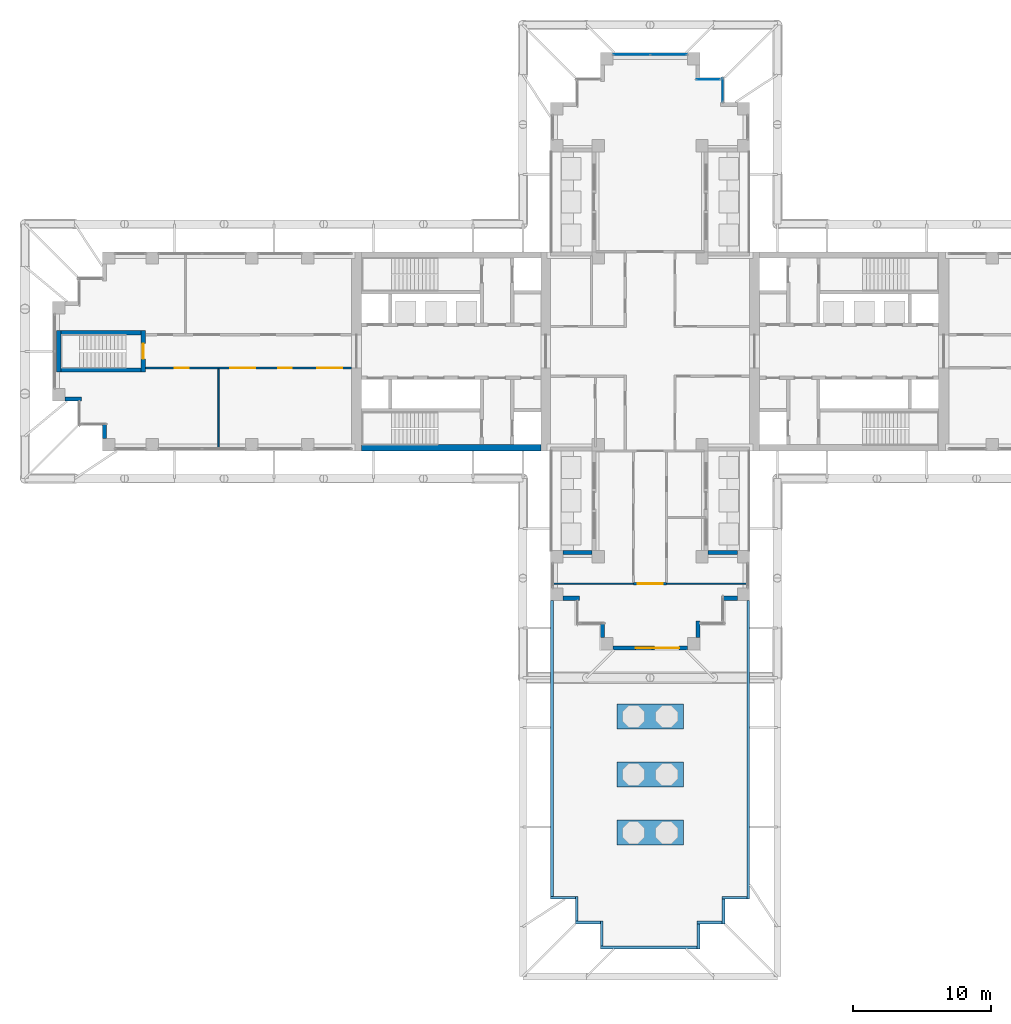
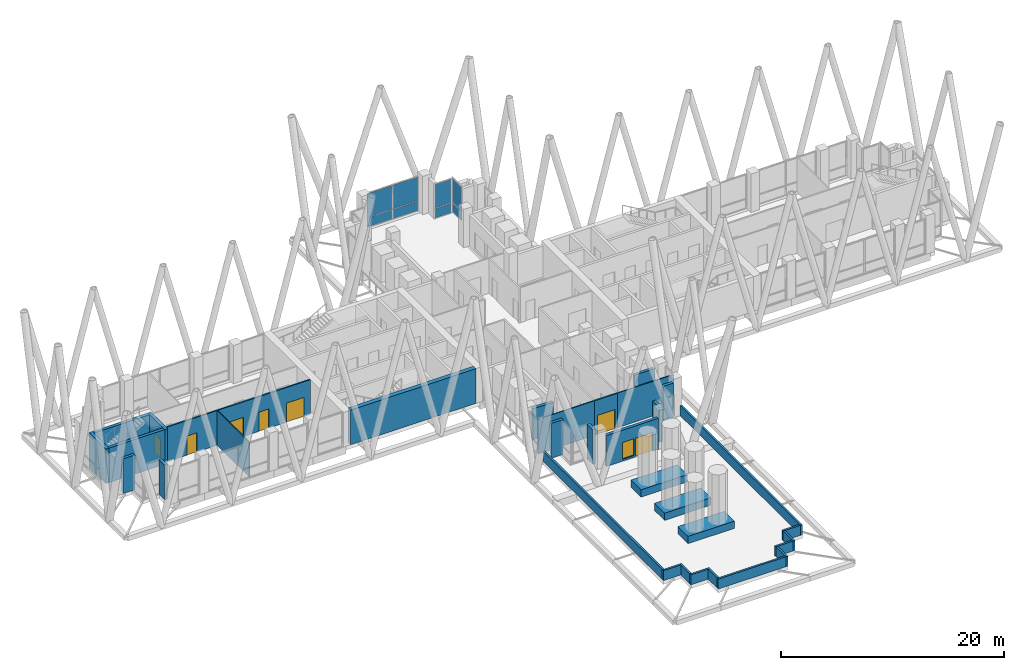
# One storey, part 13 of 22: 33 walls, 8 plates, 7 doors, 1 window, 8 openings, 3 elements without a shape of their own.
"""IFC4 building model written with IfcOpenShell, lengths in metres."""

from ifc_helpers import new_model, si_unit, direction, frame, frame_2d, origin, origin_2d, place, context, subcontext, project, spatial, rectangle, extrude, material, layer, layer_set, type_object, element, fill, aggregate, save


model = new_model("IFC4")

# Units and contexts
model_context = context("Model", 3, precision=1e-05, world=origin(), true_north=direction((0.0, 1.0)))
body_context = subcontext(model_context, "Body", "Model", "MODEL_VIEW")
ifc_project = project(units=[si_unit("LENGTHUNIT", "METRE"), si_unit("AREAUNIT", "SQUARE_METRE"), si_unit("VOLUMEUNIT", "CUBIC_METRE"), si_unit("PLANEANGLEUNIT", "RADIAN"), si_unit("MASSUNIT", "GRAM", prefix="KILO")], contexts=[model_context])

# Site, building, storey
site_placement = place(None, origin())
site = spatial("IfcSite", under=ifc_project, at=site_placement, CompositionType="ELEMENT")
building_placement = place(site_placement, origin())
building = spatial("IfcBuilding", under=site, at=building_placement, Name="Fustian Cross Tower", CompositionType="ELEMENT")
storey_placement = place(building_placement, frame((0.0, 0.0, 116.10009765625)))
storey = spatial("IfcBuildingStorey", under=building, at=storey_placement, Name="L36", CompositionType="ELEMENT", Elevation=116.10009765625)

# Curtain wall, plates
ifc_material_1 = material(Name="Dark anodised aluminium and double glazing", Category="aluminium")
curtain_wall_type = type_object("IfcCurtainWallType", Name="CW1 LOUNGE CURTAIN WALL", PredefinedType="NOTDEFINED", material=ifc_material_1)
curtain_wall_1_placement = place(storey_placement, origin())
curtain_wall_1 = element("IfcCurtainWall", 1, at=curtain_wall_1_placement, inside=storey, type_object=curtain_wall_type, Name="Curtain wall", PredefinedType="NOTDEFINED")
ifc_material_2 = material(Name="Double glazed unit")
ifc_layer_1 = layer(ifc_material_2, 0.028076171875)
ifc_layer_set_1 = layer_set([ifc_layer_1], Name="Double glazed unit")
plate_type = type_object("IfcPlateType", Name="CW1 PANEL IGU 28", PredefinedType="CURTAIN_PANEL", material=ifc_layer_set_1)
plate_1_placement = place(storey_placement, frame((5.25, 18.89990234375, 0.06005859375), z_axis=(0.0, 0.0, 1.0), x_axis=(0.0, 1.0, 0.0)))
plate_1 = element("IfcPlate", 2, at=plate_1_placement, type_object=plate_type, Name="CW1 panel 1.1", PredefinedType="CURTAIN_PANEL", context=body_context, shape_type="SweptSolid", body=[
    extrude(rectangle(XDim=1.679931640625, YDim=0.028076171875, at=origin_2d()), origin(), (0.0, 0.0, 1.0), 1.010009765625),
])
plate_2_placement = place(storey_placement, frame((5.25, 18.89990234375, 1.1298828125), z_axis=(0.0, 0.0, 1.0), x_axis=(0.0, 1.0, 0.0)))
plate_2 = element("IfcPlate", 3, at=plate_2_placement, type_object=plate_type, Name="CW1 panel 1.2", PredefinedType="CURTAIN_PANEL", context=body_context, shape_type="SweptSolid", body=[
    extrude(rectangle(XDim=1.679931640625, YDim=0.028076171875, at=origin_2d()), origin(), (0.0, 0.0, 1.0), 2.610107421875),
])
aggregate(curtain_wall_1, [plate_1, plate_2])

curtain_wall_2_placement = place(storey_placement, origin())
curtain_wall_2 = element("IfcCurtainWall", 4, at=curtain_wall_2_placement, inside=storey, type_object=curtain_wall_type, Name="Curtain wall", PredefinedType="NOTDEFINED")
plate_3_placement = place(storey_placement, frame((4.199951171875, 19.64990234375, 0.06005859375), z_axis=(0.0, 0.0, 1.0), x_axis=(-1.0, 0.0, 0.0)))
plate_3 = element("IfcPlate", 5, at=plate_3_placement, type_object=plate_type, Name="CW1 panel 1.1", PredefinedType="CURTAIN_PANEL", context=body_context, shape_type="SweptSolid", body=[
    extrude(rectangle(XDim=1.679931640625, YDim=0.028076171875, at=origin_2d()), origin(), (0.0, 0.0, 1.0), 1.010009765625),
])
plate_4_placement = place(storey_placement, frame((4.199951171875, 19.64990234375, 1.1298828125), z_axis=(0.0, 0.0, 1.0), x_axis=(-1.0, 0.0, 0.0)))
plate_4 = element("IfcPlate", 6, at=plate_4_placement, type_object=plate_type, Name="CW1 panel 1.2", PredefinedType="CURTAIN_PANEL", context=body_context, shape_type="SweptSolid", body=[
    extrude(rectangle(XDim=1.679931640625, YDim=0.028076171875, at=origin_2d()), origin(), (0.0, 0.0, 1.0), 2.610107421875),
])
aggregate(curtain_wall_2, [plate_3, plate_4])

curtain_wall_3_placement = place(storey_placement, origin())
curtain_wall_3 = element("IfcCurtainWall", 7, at=curtain_wall_3_placement, inside=storey, type_object=curtain_wall_type, Name="Curtain wall", PredefinedType="NOTDEFINED")
plate_5_placement = place(storey_placement, frame((1.3349609375, 21.449951171875, 0.06005859375), z_axis=(0.0, 0.0, 1.0), x_axis=(-1.0, 0.0, 0.0)))
plate_5 = element("IfcPlate", 8, at=plate_5_placement, type_object=plate_type, Name="CW1 panel 1.1", PredefinedType="CURTAIN_PANEL", context=body_context, shape_type="SweptSolid", body=[
    extrude(rectangle(XDim=2.610107421875, YDim=0.028076171875, at=origin_2d()), origin(), (0.0, 0.0, 1.0), 1.010009765625),
])
plate_6_placement = place(storey_placement, frame((1.3349609375, 21.449951171875, 1.1298828125), z_axis=(0.0, 0.0, 1.0), x_axis=(-1.0, 0.0, 0.0)))
plate_6 = element("IfcPlate", 9, at=plate_6_placement, type_object=plate_type, Name="CW1 panel 1.2", PredefinedType="CURTAIN_PANEL", context=body_context, shape_type="SweptSolid", body=[
    extrude(rectangle(XDim=2.610107421875, YDim=0.028076171875, at=origin_2d()), origin(), (0.0, 0.0, 1.0), 2.610107421875),
])
plate_7_placement = place(storey_placement, frame((-1.3349609375, 21.449951171875, 0.06005859375), z_axis=(0.0, 0.0, 1.0), x_axis=(-1.0, 0.0, 0.0)))
plate_7 = element("IfcPlate", 10, at=plate_7_placement, type_object=plate_type, Name="CW1 panel 2.1", PredefinedType="CURTAIN_PANEL", context=body_context, shape_type="SweptSolid", body=[
    extrude(rectangle(XDim=2.610107421875, YDim=0.028076171875, at=origin_2d()), origin(), (0.0, 0.0, 1.0), 1.010009765625),
])
plate_8_placement = place(storey_placement, frame((-1.3349609375, 21.449951171875, 1.1298828125), z_axis=(0.0, 0.0, 1.0), x_axis=(-1.0, 0.0, 0.0)))
plate_8 = element("IfcPlate", 11, at=plate_8_placement, type_object=plate_type, Name="CW1 panel 2.2", PredefinedType="CURTAIN_PANEL", context=body_context, shape_type="SweptSolid", body=[
    extrude(rectangle(XDim=2.610107421875, YDim=0.028076171875, at=origin_2d()), origin(), (0.0, 0.0, 1.0), 2.610107421875),
])
aggregate(curtain_wall_3, [plate_5, plate_6, plate_7, plate_8])

# Wall, openings, doors
ifc_material_3 = material(Name="Plasterboard on steel stud", Category="steel")
ifc_layer_2 = layer(ifc_material_3, 0.14990234375)
ifc_layer_set_2 = layer_set([ifc_layer_2], Name="Plasterboard on steel stud")
wall_type_1 = type_object("IfcWallType", Name="COMPARTMENT WALL 150 EI 60", PredefinedType="PARTITIONING", material=ifc_layer_set_2)
wall_1_placement = place(storey_placement, frame((-36.5, -1.199951171875, 0.0), z_axis=(0.0, 0.0, 1.0), x_axis=(1.0, 0.0, 0.0)))
wall_1 = element("IfcWall", 12, at=wall_1_placement, inside=storey, type_object=wall_type_1, Name="Partition 1", PredefinedType="PARTITIONING", context=body_context, shape_type="SweptSolid", body=[
    extrude(rectangle(XDim=14.89990234375, YDim=0.14990234375, at=frame_2d((7.449951171875, 0.0))), origin(), (0.0, 0.0, 1.0), 3.7998046875),
])
opening_1_placement = place(wall_1_placement, frame((6.14990234375, 0.0, 0.0)))
opening_1 = element("IfcOpeningElement", 13, at=opening_1_placement, cuts=wall_1, Name="Opening D17027", PredefinedType="OPENING", context=body_context, shape_type="SweptSolid", body=[
    extrude(rectangle(XDim=1.800048828125, YDim=2.10009765625, at=frame_2d((0.89990234375, 1.050048828125))), frame((0.0, 0.0849609375, 0.0), z_axis=(0.0, -1.0, 0.0), x_axis=(1.0, 0.0, 0.0)), (0.0, 0.0, 1.0), 0.169921875),
])
opening_2_placement = place(wall_1_placement, frame((9.60009765625, 0.0, 0.0)))
opening_2 = element("IfcOpeningElement", 14, at=opening_2_placement, cuts=wall_1, Name="Opening D17028", PredefinedType="OPENING", context=body_context, shape_type="SweptSolid", body=[
    extrude(rectangle(XDim=1.0, YDim=2.10009765625, at=frame_2d((0.5, 1.050048828125))), frame((0.0, 0.0849609375, 0.0), z_axis=(0.0, -1.0, 0.0), x_axis=(1.0, 0.0, 0.0)), (0.0, 0.0, 1.0), 0.169921875),
])
opening_3_placement = place(wall_1_placement, frame((12.449951171875, 0.0, 0.0)))
opening_3 = element("IfcOpeningElement", 15, at=opening_3_placement, cuts=wall_1, Name="Opening D17029", PredefinedType="OPENING", context=body_context, shape_type="SweptSolid", body=[
    extrude(rectangle(XDim=1.800048828125, YDim=2.10009765625, at=frame_2d((0.89990234375, 1.050048828125))), frame((0.0, 0.0849609375, 0.0), z_axis=(0.0, -1.0, 0.0), x_axis=(1.0, 0.0, 0.0)), (0.0, 0.0, 1.0), 0.169921875),
])
opening_4_placement = place(wall_1_placement, frame((2.14990234375, 0.0, 0.0)))
opening_4 = element("IfcOpeningElement", 16, at=opening_4_placement, cuts=wall_1, Name="Opening D17030", PredefinedType="OPENING", context=body_context, shape_type="SweptSolid", body=[
    extrude(rectangle(XDim=1.0, YDim=2.10009765625, at=frame_2d((0.5, 1.050048828125))), frame((0.0, 0.0849609375, 0.0), z_axis=(0.0, -1.0, 0.0), x_axis=(1.0, 0.0, 0.0)), (0.0, 0.0, 1.0), 0.169921875),
])
ifc_material_4 = material(Name="Timber fire door set", Category="wood")
door_type_1 = type_object("IfcDoorType", Name="FIRE DOUBLE DOOR 1800 FD30S", OperationType="DOUBLE_DOOR_DOUBLE_SWING", PredefinedType="DOOR", material=ifc_material_4)
door_1_placement = place(opening_1_placement, origin())
door_1 = element("IfcDoor", 17, at=door_1_placement, inside=storey, type_object=door_type_1, Name="Door D17027", OperationType="DOUBLE_DOOR_DOUBLE_SWING", OverallHeight=2.10009765625, OverallWidth=1.800048828125, PredefinedType="DOOR", context=body_context, shape_type="SweptSolid", body=[
    extrude(rectangle(XDim=1.800048828125, YDim=2.10009765625, at=frame_2d((0.89990234375, 1.050048828125))), frame((0.0, 0.02490234375, 0.0), z_axis=(0.0, -1.0, 0.0), x_axis=(1.0, 0.0, 0.0)), (0.0, 0.0, 1.0), 0.050048828125),
])
fill(opening_1, door_1)
door_2_placement = place(opening_3_placement, origin())
door_2 = element("IfcDoor", 18, at=door_2_placement, inside=storey, type_object=door_type_1, Name="Door D17029", OperationType="DOUBLE_DOOR_DOUBLE_SWING", OverallHeight=2.10009765625, OverallWidth=1.800048828125, PredefinedType="DOOR", context=body_context, shape_type="SweptSolid", body=[
    extrude(rectangle(XDim=1.800048828125, YDim=2.10009765625, at=frame_2d((0.89990234375, 1.050048828125))), frame((0.0, 0.02490234375, 0.0), z_axis=(0.0, -1.0, 0.0), x_axis=(1.0, 0.0, 0.0)), (0.0, 0.0, 1.0), 0.050048828125),
])
fill(opening_3, door_2)
ifc_material_5 = material(Name="Timber fire door set", Category="wood")
door_type_2 = type_object("IfcDoorType", Name="FIRE SWING DOOR 1000 FD30S", OperationType="SINGLE_SWING_LEFT", PredefinedType="DOOR", material=ifc_material_5)
door_3_placement = place(opening_2_placement, frame((1.0, 0.0, 0.0), z_axis=(0.0, 0.0, 1.0), x_axis=(-1.0, 0.0, 0.0)))
door_3 = element("IfcDoor", 19, at=door_3_placement, inside=storey, type_object=door_type_2, Name="Door D17028", OperationType="SINGLE_SWING_RIGHT", OverallHeight=2.10009765625, OverallWidth=1.0, PredefinedType="DOOR", context=body_context, shape_type="SweptSolid", body=[
    extrude(rectangle(XDim=1.0, YDim=2.10009765625, at=frame_2d((0.5, 1.050048828125))), frame((0.0, 0.02490234375, 0.0), z_axis=(0.0, -1.0, 0.0), x_axis=(1.0, 0.0, 0.0)), (0.0, 0.0, 1.0), 0.050048828125),
])
fill(opening_2, door_3)
door_4_placement = place(opening_4_placement, frame((1.0, 0.0, 0.0), z_axis=(0.0, 0.0, 1.0), x_axis=(-1.0, 0.0, 0.0)))
door_4 = element("IfcDoor", 20, at=door_4_placement, inside=storey, type_object=door_type_2, Name="Door D17030", OperationType="SINGLE_SWING_LEFT", OverallHeight=2.10009765625, OverallWidth=1.0, PredefinedType="DOOR", context=body_context, shape_type="SweptSolid", body=[
    extrude(rectangle(XDim=1.0, YDim=2.10009765625, at=frame_2d((0.5, 1.050048828125))), frame((0.0, 0.02490234375, 0.0), z_axis=(0.0, -1.0, 0.0), x_axis=(1.0, 0.0, 0.0)), (0.0, 0.0, 1.0), 0.050048828125),
])
fill(opening_4, door_4)

# Wall, opening, door
wall_2_placement = place(storey_placement, frame((-1.199951171875, -16.800048828125, 0.0), z_axis=(0.0, 0.0, 1.0), x_axis=(1.0, 0.0, 0.0)))
wall_2 = element("IfcWall", 21, at=wall_2_placement, inside=storey, type_object=wall_type_1, Name="Partition 16", PredefinedType="PARTITIONING", context=body_context, shape_type="SweptSolid", body=[
    extrude(rectangle(XDim=2.39990234375, YDim=0.14990234375, at=frame_2d((1.199951171875, 0.0))), origin(), (0.0, 0.0, 1.0), 3.7998046875),
])
opening_5_placement = place(wall_2_placement, frame((0.300048828125, 0.0, 0.0)))
opening_5 = element("IfcOpeningElement", 22, at=opening_5_placement, cuts=wall_2, Name="Opening D17015", PredefinedType="OPENING", context=body_context, shape_type="SweptSolid", body=[
    extrude(rectangle(XDim=1.800048828125, YDim=2.10009765625, at=frame_2d((0.89990234375, 1.050048828125))), frame((0.0, 0.0849609375, 0.0), z_axis=(0.0, -1.0, 0.0), x_axis=(1.0, 0.0, 0.0)), (0.0, 0.0, 1.0), 0.169921875),
])
door_5_placement = place(opening_5_placement, origin())
door_5 = element("IfcDoor", 23, at=door_5_placement, inside=storey, type_object=door_type_1, Name="Door D17015", OperationType="DOUBLE_DOOR_DOUBLE_SWING", OverallHeight=2.10009765625, OverallWidth=1.800048828125, PredefinedType="DOOR", context=body_context, shape_type="SweptSolid", body=[
    extrude(rectangle(XDim=1.800048828125, YDim=2.10009765625, at=frame_2d((0.89990234375, 1.050048828125))), frame((0.0, 0.02490234375, 0.0), z_axis=(0.0, -1.0, 0.0), x_axis=(1.0, 0.0, 0.0)), (0.0, 0.0, 1.0), 0.050048828125),
])
fill(opening_5, door_5)

# Walls
ifc_material_6 = material(Name="Concrete C60/75", Category="concrete")
ifc_layer_3 = layer(ifc_material_6, 0.449951171875)
ifc_layer_set_3 = layer_set([ifc_layer_3], Name="Concrete C60/75")
wall_type_2 = type_object("IfcWallType", Name="CORE FACADE WALL 450 C60/75", PredefinedType="SHEAR", material=ifc_layer_set_3)
wall_3_placement = place(storey_placement, frame((-7.89990234375, -6.97509765625, 0.0), z_axis=(0.0, 0.0, 1.0), x_axis=(-1.0, 0.0, 0.0)))
element("IfcWall", 24, at=wall_3_placement, inside=storey, type_object=wall_type_2, Name="Core facade wall", PredefinedType="SHEAR", context=body_context, shape_type="SweptSolid", body=[
    extrude(rectangle(XDim=12.9501953125, YDim=0.449951171875, at=frame_2d((6.47509765625, 0.0))), origin(), (0.0, 0.0, 1.0), 3.7998046875),
])
ifc_material_7 = material(Name="Dark rainscreen cladding on blockwork", Category="masonry")
ifc_layer_4 = layer(ifc_material_7, 0.199951171875)
ifc_layer_set_4 = layer_set([ifc_layer_4], Name="Dark rainscreen cladding on blockwork")
wall_type_3 = type_object("IfcWallType", Name="PARAPET 200", PredefinedType="PARAPET", material=ifc_layer_set_4)
wall_4_placement = place(storey_placement, frame((-7.10009765625, -18.0, 0.0), z_axis=(0.0, 0.0, 1.0), x_axis=(0.0, -1.0, 0.0)))
element("IfcWall", 25, at=wall_4_placement, inside=storey, type_object=wall_type_3, Name="Terrace parapet L36 1", PredefinedType="PARAPET", context=body_context, shape_type="SweptSolid", body=[
    extrude(rectangle(XDim=21.39990234375, YDim=0.199951171875, at=frame_2d((10.699951171875, 0.0))), origin(), (0.0, 0.0, 1.0), 1.099853515625),
])
for number, where, z_axis, x_axis, name in (
    (26, (-7.199951171875, -39.5, 0.0), (0.0, 0.0, 1.0), (1.0, 0.0, 0.0), "Terrace parapet L36 2"),
    (27, (-5.300048828125, -39.39990234375, 0.0), (0.0, 0.0, 1.0), (0.0, -1.0, 0.0), "Terrace parapet L36 3"),
):
    element("IfcWall", number, at=place(storey_placement, frame(where, z_axis=z_axis, x_axis=x_axis)), inside=storey, type_object=wall_type_3, Name=name, PredefinedType="PARAPET", context=body_context, shape_type="SweptSolid", body=[
        extrude(rectangle(XDim=1.800048828125, YDim=0.199951171875, at=frame_2d((0.89990234375, 0.0))), origin(), (0.0, 0.0, 1.0), 1.099853515625),
    ])
wall_5_placement = place(storey_placement, frame((-5.39990234375, -41.300048828125, 0.0), z_axis=(0.0, 0.0, 1.0), x_axis=(1.0, 0.0, 0.0)))
element("IfcWall", 28, at=wall_5_placement, inside=storey, type_object=wall_type_3, Name="Terrace parapet L36 4", PredefinedType="PARAPET", context=body_context, shape_type="SweptSolid", body=[
    extrude(rectangle(XDim=1.7998046875, YDim=0.199951171875, at=frame_2d((0.89990234375, 0.0))), origin(), (0.0, 0.0, 1.0), 1.099853515625),
])
wall_6_placement = place(storey_placement, frame((-3.5, -41.199951171875, 0.0), z_axis=(0.0, 0.0, 1.0), x_axis=(0.0, -1.0, 0.0)))
element("IfcWall", 29, at=wall_6_placement, inside=storey, type_object=wall_type_3, Name="Terrace parapet L36 5", PredefinedType="PARAPET", context=body_context, shape_type="SweptSolid", body=[
    extrude(rectangle(XDim=1.800048828125, YDim=0.199951171875, at=frame_2d((0.89990234375, 0.0))), origin(), (0.0, 0.0, 1.0), 1.099853515625),
])
wall_7_placement = place(storey_placement, frame((-3.60009765625, -43.10009765625, 0.0), z_axis=(0.0, 0.0, 1.0), x_axis=(1.0, 0.0, 0.0)))
element("IfcWall", 30, at=wall_7_placement, inside=storey, type_object=wall_type_3, Name="Terrace parapet L36 6", PredefinedType="PARAPET", context=body_context, shape_type="SweptSolid", body=[
    extrude(rectangle(XDim=7.0, YDim=0.199951171875, at=frame_2d((3.5, 0.0))), origin(), (0.0, 0.0, 1.0), 1.099853515625),
])
for number, where, z_axis, x_axis, name in (
    (31, (3.5, -43.199951171875, 0.0), (0.0, 0.0, 1.0), (0.0, 1.0, 0.0), "Terrace parapet L36 7"),
    (32, (3.39990234375, -41.300048828125, 0.0), (0.0, 0.0, 1.0), (1.0, 0.0, 0.0), "Terrace parapet L36 8"),
):
    element("IfcWall", number, at=place(storey_placement, frame(where, z_axis=z_axis, x_axis=x_axis)), inside=storey, type_object=wall_type_3, Name=name, PredefinedType="PARAPET", context=body_context, shape_type="SweptSolid", body=[
        extrude(rectangle(XDim=1.800048828125, YDim=0.199951171875, at=frame_2d((0.89990234375, 0.0))), origin(), (0.0, 0.0, 1.0), 1.099853515625),
    ])
wall_8_placement = place(storey_placement, frame((5.300048828125, -41.39990234375, 0.0), z_axis=(0.0, 0.0, 1.0), x_axis=(0.0, 1.0, 0.0)))
element("IfcWall", 33, at=wall_8_placement, inside=storey, type_object=wall_type_3, Name="Terrace parapet L36 9", PredefinedType="PARAPET", context=body_context, shape_type="SweptSolid", body=[
    extrude(rectangle(XDim=1.7998046875, YDim=0.199951171875, at=frame_2d((0.89990234375, 0.0))), origin(), (0.0, 0.0, 1.0), 1.099853515625),
])
wall_9_placement = place(storey_placement, frame((5.199951171875, -39.5, 0.0), z_axis=(0.0, 0.0, 1.0), x_axis=(1.0, 0.0, 0.0)))
element("IfcWall", 34, at=wall_9_placement, inside=storey, type_object=wall_type_3, Name="Terrace parapet L36 10", PredefinedType="PARAPET", context=body_context, shape_type="SweptSolid", body=[
    extrude(rectangle(XDim=1.800048828125, YDim=0.199951171875, at=frame_2d((0.89990234375, 0.0))), origin(), (0.0, 0.0, 1.0), 1.099853515625),
])
wall_10_placement = place(storey_placement, frame((7.10009765625, -39.60009765625, 0.0), z_axis=(0.0, 0.0, 1.0), x_axis=(0.0, 1.0, 0.0)))
element("IfcWall", 35, at=wall_10_placement, inside=storey, type_object=wall_type_3, Name="Terrace parapet L36 11", PredefinedType="PARAPET", context=body_context, shape_type="SweptSolid", body=[
    extrude(rectangle(XDim=21.60009765625, YDim=0.199951171875, at=frame_2d((10.800048828125, 0.0))), origin(), (0.0, 0.0, 1.0), 1.099853515625),
])
ifc_material_8 = material(Name="Plasterboard on steel stud", Category="steel")
ifc_layer_5 = layer(ifc_material_8, 0.10009765625)
ifc_layer_set_5 = layer_set([ifc_layer_5], Name="Plasterboard on steel stud")
wall_type_4 = type_object("IfcWallType", Name="PARTITION 100 STUD", PredefinedType="PARTITIONING", material=ifc_layer_set_5)
wall_11_placement = place(storey_placement, frame((-31.199951171875, -7.02001953125, 0.0), z_axis=(0.0, 0.0, 1.0), x_axis=(0.0, 1.0, 0.0)))
element("IfcWall", 36, at=wall_11_placement, inside=storey, type_object=wall_type_4, Name="Partition 4", PredefinedType="PARTITIONING", context=body_context, shape_type="SweptSolid", body=[
    extrude(rectangle(XDim=5.7451171875, YDim=0.10009765625, at=frame_2d((2.87255859375, 0.0))), origin(), (0.0, 0.0, 1.0), 3.7998046875),
])
for number, where, z_axis, x_axis, name in (
    (37, (-7.02001953125, -16.800048828125, 0.0), (0.0, 0.0, 1.0), (1.0, 0.0, 0.0), "Partition 7"),
    (38, (1.199951171875, -16.800048828125, 0.0), (0.0, 0.0, 1.0), (1.0, 0.0, 0.0), "Partition 18"),
):
    element("IfcWall", number, at=place(storey_placement, frame(where, z_axis=z_axis, x_axis=x_axis)), inside=storey, type_object=wall_type_4, Name=name, PredefinedType="PARTITIONING", context=body_context, shape_type="SweptSolid", body=[
        extrude(rectangle(XDim=5.820068359375, YDim=0.10009765625, at=frame_2d((2.91015625, 0.0))), origin(), (0.0, 0.0, 1.0), 3.7998046875),
    ])
ifc_material_9 = material(Name="Concrete C40/50", Category="concrete")
ifc_layer_6 = layer(ifc_material_9, 1.800048828125)
ifc_layer_set_6 = layer_set([ifc_layer_6], Name="Concrete C40/50")
wall_type_5 = type_object("IfcWallType", Name="PLANTER KERB 1800", PredefinedType="SOLIDWALL", material=ifc_layer_set_6)
for number, where, z_axis, x_axis, name in (
    (39, (-2.39990234375, -34.800048828125, 0.0), (0.0, 0.0, 1.0), (1.0, 0.0, 0.0), "PLANTER L3611"),
    (40, (-2.39990234375, -30.60009765625, 0.0), (0.0, 0.0, 1.0), (1.0, 0.0, 0.0), "PLANTER L3612"),
    (41, (-2.39990234375, -26.39990234375, 0.0), (0.0, 0.0, 1.0), (1.0, 0.0, 0.0), "PLANTER L3613"),
):
    element("IfcWall", number, at=place(storey_placement, frame(where, z_axis=z_axis, x_axis=x_axis)), inside=storey, type_object=wall_type_5, Name=name, PredefinedType="SOLIDWALL", context=body_context, shape_type="SweptSolid", body=[
        extrude(rectangle(XDim=4.7998046875, YDim=1.800048828125, at=frame_2d((2.39990234375, 0.0))), origin(), (0.0, 0.0, 1.0), 0.7998046875),
    ])

# Wall, opening, door
ifc_material_10 = material(Name="Concrete C50/60", Category="concrete")
ifc_layer_7 = layer(ifc_material_10, 0.300048828125)
ifc_layer_set_7 = layer_set([ifc_layer_7], Name="Concrete C50/60")
wall_type_6 = type_object("IfcWallType", Name="STAIR ENCLOSURE WALL 300 C50/60", PredefinedType="SHEAR", material=ifc_layer_set_7)
wall_12_placement = place(storey_placement, frame((-36.64990234375, -1.5, 0.0), z_axis=(0.0, 0.0, 1.0), x_axis=(0.0, 1.0, 0.0)))
wall_12 = element("IfcWall", 42, at=wall_12_placement, inside=storey, type_object=wall_type_6, Name="Stair enclosure wall", PredefinedType="SHEAR", context=body_context, shape_type="SweptSolid", body=[
    extrude(rectangle(XDim=3.0, YDim=0.300048828125, at=frame_2d((1.5, 0.0))), origin(), (0.0, 0.0, 1.0), 3.7998046875),
])
opening_6_placement = place(wall_12_placement, frame((0.949951171875, 0.0, 0.0)))
opening_6 = element("IfcOpeningElement", 43, at=opening_6_placement, cuts=wall_12, Name="Opening CD-14-38", PredefinedType="OPENING", context=body_context, shape_type="SweptSolid", body=[
    extrude(rectangle(XDim=1.10009765625, YDim=2.10009765625, at=frame_2d((0.550048828125, 1.050048828125))), frame((0.0, 0.159912109375, 0.0), z_axis=(0.0, -1.0, 0.0), x_axis=(1.0, 0.0, 0.0)), (0.0, 0.0, 1.0), 0.320068359375),
])
ifc_material_11 = material(Name="Steel", Category="steel")
door_type_3 = type_object("IfcDoorType", Name="FIRE DOOR FD60S 1100X2100", OperationType="SINGLE_SWING_LEFT", PredefinedType="DOOR", material=ifc_material_11)
door_6_placement = place(opening_6_placement, origin())
door_6 = element("IfcDoor", 44, at=door_6_placement, inside=storey, type_object=door_type_3, Name="Core door CD-14-38", OperationType="SINGLE_SWING_LEFT", OverallHeight=2.10009765625, OverallWidth=1.10009765625, PredefinedType="DOOR", context=body_context, shape_type="SweptSolid", body=[
    extrude(rectangle(XDim=1.10009765625, YDim=2.10009765625, at=frame_2d((0.550048828125, 1.050048828125))), frame((0.0, 0.02490234375, 0.0), z_axis=(0.0, -1.0, 0.0), x_axis=(1.0, 0.0, 0.0)), (0.0, 0.0, 1.0), 0.050048828125),
])
fill(opening_6, door_6)

# Walls
wall_13_placement = place(storey_placement, frame((-42.75, -1.5, 0.0), z_axis=(0.0, 0.0, 1.0), x_axis=(0.0, 1.0, 0.0)))
element("IfcWall", 45, at=wall_13_placement, inside=storey, type_object=wall_type_6, Name="Stair enclosure wall", PredefinedType="SHEAR", context=body_context, shape_type="SweptSolid", body=[
    extrude(rectangle(XDim=3.0, YDim=0.300048828125, at=frame_2d((1.5, 0.0))), origin(), (0.0, 0.0, 1.0), 3.7998046875),
])
for number, where, z_axis, x_axis, name in (
    (46, (-36.800048828125, -1.35009765625, 0.0), (0.0, 0.0, 1.0), (-1.0, 0.0, 0.0), "Stair enclosure wall"),
    (47, (-36.800048828125, 1.35009765625, 0.0), (0.0, 0.0, 1.0), (-1.0, 0.0, 0.0), "Stair enclosure wall"),
):
    element("IfcWall", number, at=place(storey_placement, frame(where, z_axis=z_axis, x_axis=x_axis)), inside=storey, type_object=wall_type_6, Name=name, PredefinedType="SHEAR", context=body_context, shape_type="SweptSolid", body=[
        extrude(rectangle(XDim=5.800048828125, YDim=0.300048828125, at=frame_2d((2.89990234375, 0.0))), origin(), (0.0, 0.0, 1.0), 3.7998046875),
    ])
ifc_material_12 = material(Name="Dark aluminium cladding on insulated backing wall", Category="aluminium")
ifc_layer_8 = layer(ifc_material_12, 0.300048828125)
ifc_layer_set_8 = layer_set([ifc_layer_8], Name="Dark aluminium cladding on insulated backing wall")
wall_type_7 = type_object("IfcWallType", Name="XW1 EXTERNAL WALL 300", PredefinedType="SOLIDWALL", material=ifc_layer_set_8)
wall_14_placement = place(storey_placement, frame((-42.300048828125, -3.449951171875, 0.0), z_axis=(0.0, 0.0, 1.0), x_axis=(1.0, 0.0, 0.0)))
element("IfcWall", 48, at=wall_14_placement, inside=storey, type_object=wall_type_7, Name="External wall", PredefinedType="SOLIDWALL", context=body_context, shape_type="SweptSolid", body=[
    extrude(rectangle(XDim=1.199951171875, YDim=0.300048828125, at=frame_2d((0.60009765625, 0.0))), origin(), (0.0, 0.0, 1.0), 3.7998046875),
])
wall_15_placement = place(storey_placement, frame((-39.449951171875, -5.280029296875, 0.0), z_axis=(0.0, 0.0, 1.0), x_axis=(0.0, -1.0, 0.0)))
element("IfcWall", 49, at=wall_15_placement, inside=storey, type_object=wall_type_7, Name="External wall", PredefinedType="SOLIDWALL", context=body_context, shape_type="SweptSolid", body=[
    extrude(rectangle(XDim=1.02001953125, YDim=0.300048828125, at=frame_2d((0.510009765625, 0.0))), origin(), (0.0, 0.0, 1.0), 3.7998046875),
])
wall_16_placement = place(storey_placement, frame((-4.199951171875, -14.550048828125, 0.0), z_axis=(0.0, 0.0, 1.0), x_axis=(-1.0, 0.0, 0.0)))
element("IfcWall", 50, at=wall_16_placement, inside=storey, type_object=wall_type_7, Name="External wall", PredefinedType="SOLIDWALL", context=body_context, shape_type="SweptSolid", body=[
    extrude(rectangle(XDim=2.10009765625, YDim=0.300048828125, at=frame_2d((1.050048828125, 0.0))), origin(), (0.0, 0.0, 1.0), 3.39990234375),
])
wall_17_placement = place(storey_placement, frame((-6.300048828125, -17.85009765625, 0.0), z_axis=(0.0, 0.0, 1.0), x_axis=(1.0, 0.0, 0.0)))
element("IfcWall", 51, at=wall_17_placement, inside=storey, type_object=wall_type_7, Name="External wall", PredefinedType="SOLIDWALL", context=body_context, shape_type="SweptSolid", body=[
    extrude(rectangle(XDim=1.199951171875, YDim=0.300048828125, at=frame_2d((0.60009765625, 0.0))), origin(), (0.0, 0.0, 1.0), 3.7998046875),
])
wall_18_placement = place(storey_placement, frame((-3.449951171875, -19.679931640625, 0.0), z_axis=(0.0, 0.0, 1.0), x_axis=(0.0, -1.0, 0.0)))
element("IfcWall", 52, at=wall_18_placement, inside=storey, type_object=wall_type_7, Name="External wall", PredefinedType="SOLIDWALL", context=body_context, shape_type="SweptSolid", body=[
    extrude(rectangle(XDim=1.02001953125, YDim=0.300048828125, at=frame_2d((0.510009765625, 0.0))), origin(), (0.0, 0.0, 1.0), 3.7998046875),
])

# Wall, openings, door, window
wall_19_placement = place(storey_placement, frame((-2.699951171875, -21.449951171875, 0.0), z_axis=(0.0, 0.0, 1.0), x_axis=(1.0, 0.0, 0.0)))
wall_19 = element("IfcWall", 53, at=wall_19_placement, inside=storey, type_object=wall_type_7, Name="External wall", PredefinedType="SOLIDWALL", context=body_context, shape_type="SweptSolid", body=[
    extrude(rectangle(XDim=5.39990234375, YDim=0.300048828125, at=frame_2d((2.699951171875, 0.0))), origin(), (0.0, 0.0, 1.0), 3.39990234375),
])
opening_7_placement = place(wall_19_placement, frame((3.0, 0.0, 0.0)))
opening_7 = element("IfcOpeningElement", 54, at=opening_7_placement, cuts=wall_19, Name="Opening XD6", PredefinedType="OPENING", context=body_context, shape_type="SweptSolid", body=[
    extrude(rectangle(XDim=1.800048828125, YDim=2.050048828125, at=frame_2d((0.89990234375, 1.02490234375))), frame((0.0, 0.159912109375, 0.0), z_axis=(0.0, -1.0, 0.0), x_axis=(1.0, 0.0, 0.0)), (0.0, 0.0, 1.0), 0.320068359375),
])
opening_8_placement = place(wall_19_placement, frame((1.64990234375, 0.0, 0.199951171875)))
opening_8 = element("IfcOpeningElement", 55, at=opening_8_placement, cuts=wall_19, Name="Opening WN3", PredefinedType="OPENING", context=body_context, shape_type="SweptSolid", body=[
    extrude(rectangle(XDim=1.199951171875, YDim=1.85009765625, at=frame_2d((0.60009765625, 0.925048828125))), frame((0.0, 0.159912109375, 0.0), z_axis=(0.0, -1.0, 0.0), x_axis=(1.0, 0.0, 0.0)), (0.0, 0.0, 1.0), 0.320068359375),
])
ifc_material_13 = material(Name="Dark anodised aluminium and double glazing", Category="aluminium")
door_type_4 = type_object("IfcDoorType", Name="ED2 TERRACE DOOR 1800X2050", OperationType="SINGLE_SWING_LEFT", PredefinedType="DOOR", material=ifc_material_13)
door_7_placement = place(opening_7_placement, origin())
door_7 = element("IfcDoor", 56, at=door_7_placement, inside=storey, type_object=door_type_4, Name="Terrace door", OperationType="SINGLE_SWING_LEFT", OverallHeight=2.050048828125, OverallWidth=1.800048828125, PredefinedType="DOOR", context=body_context, shape_type="SweptSolid", body=[
    extrude(rectangle(XDim=1.800048828125, YDim=2.050048828125, at=frame_2d((0.89990234375, 1.02490234375))), frame((0.0, 0.02490234375, 0.0), z_axis=(0.0, -1.0, 0.0), x_axis=(1.0, 0.0, 0.0)), (0.0, 0.0, 1.0), 0.050048828125),
])
fill(opening_7, door_7)
ifc_material_14 = material(Name="Dark anodised aluminium and double glazing", Category="aluminium")
window_type = type_object("IfcWindowType", Name="WN3 WINDOW 1200X1850", PartitioningType="SINGLE_PANEL", PredefinedType="WINDOW", material=ifc_material_14)
window_placement = place(opening_8_placement, origin())
window = element("IfcWindow", 57, at=window_placement, inside=storey, type_object=window_type, Name="Window", OverallHeight=1.85009765625, OverallWidth=1.199951171875, PartitioningType="SINGLE_PANEL", PredefinedType="WINDOW", context=body_context, shape_type="SweptSolid", body=[
    extrude(rectangle(XDim=1.199951171875, YDim=1.85009765625, at=frame_2d((0.60009765625, 0.925048828125))), frame((0.0, 0.030029296875, 0.0), z_axis=(0.0, -1.0, 0.0), x_axis=(1.0, 0.0, 0.0)), (0.0, 0.0, 1.0), 0.06005859375),
])
fill(opening_8, window)

# Walls
wall_20_placement = place(storey_placement, frame((3.449951171875, -20.699951171875, 0.0), z_axis=(0.0, 0.0, 1.0), x_axis=(0.0, 1.0, 0.0)))
element("IfcWall", 58, at=wall_20_placement, inside=storey, type_object=wall_type_7, Name="External wall", PredefinedType="SOLIDWALL", context=body_context, shape_type="SweptSolid", body=[
    extrude(rectangle(XDim=1.199951171875, YDim=0.300048828125, at=frame_2d((0.60009765625, 0.0))), origin(), (0.0, 0.0, 1.0), 3.7998046875),
])
wall_21_placement = place(storey_placement, frame((5.280029296875, -17.85009765625, 0.0), z_axis=(0.0, 0.0, 1.0), x_axis=(1.0, 0.0, 0.0)))
element("IfcWall", 59, at=wall_21_placement, inside=storey, type_object=wall_type_7, Name="External wall", PredefinedType="SOLIDWALL", context=body_context, shape_type="SweptSolid", body=[
    extrude(rectangle(XDim=1.02001953125, YDim=0.300048828125, at=frame_2d((0.510009765625, 0.0))), origin(), (0.0, 0.0, 1.0), 3.7998046875),
])
wall_22_placement = place(storey_placement, frame((6.300048828125, -14.550048828125, 0.0), z_axis=(0.0, 0.0, 1.0), x_axis=(-1.0, 0.0, 0.0)))
element("IfcWall", 60, at=wall_22_placement, inside=storey, type_object=wall_type_7, Name="External wall", PredefinedType="SOLIDWALL", context=body_context, shape_type="SweptSolid", body=[
    extrude(rectangle(XDim=2.10009765625, YDim=0.300048828125, at=frame_2d((1.050048828125, 0.0))), origin(), (0.0, 0.0, 1.0), 3.39990234375),
])

save(model, "model.ifc")
